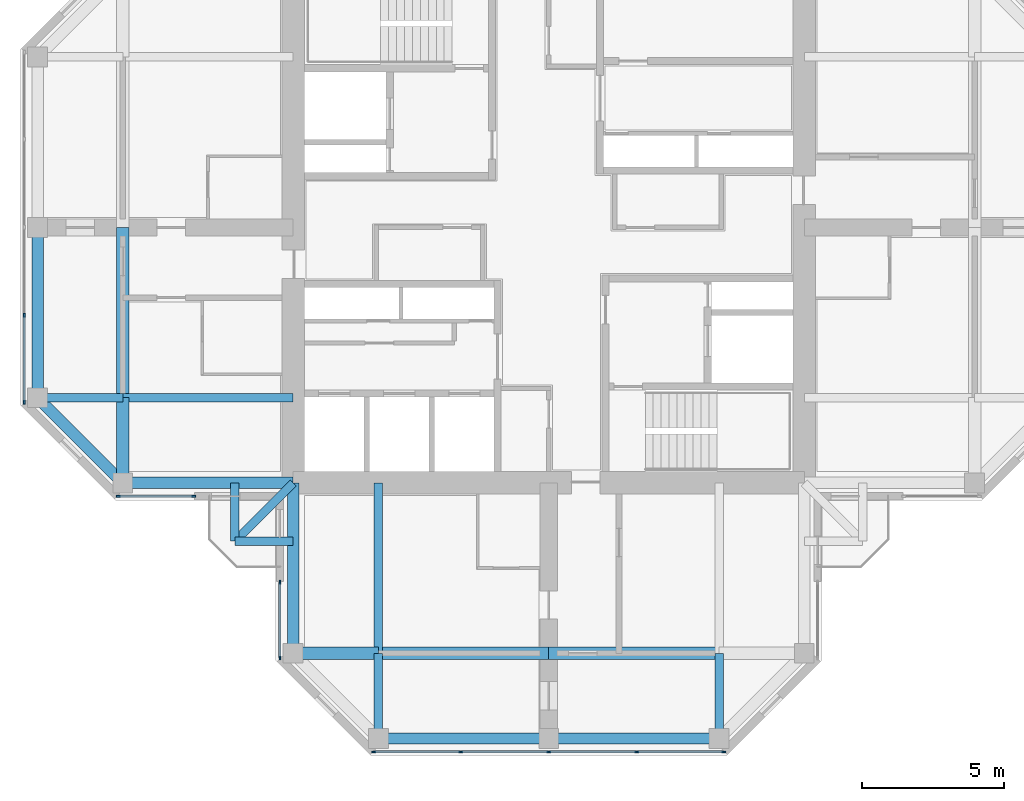
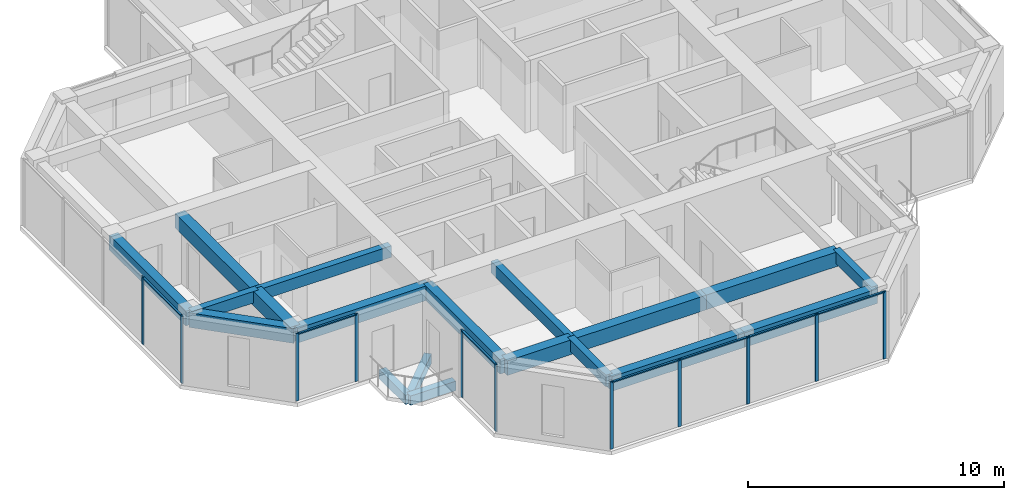
# One storey, part 2 of 13: 19 beams, 18 members, 4 elements without a shape of their own.
"""IFC4 building model written with IfcOpenShell, lengths in metres."""

from ifc_helpers import new_model, si_unit, direction, frame, origin, origin_2d, place, context, subcontext, project, spatial, rectangle, extrude, material, material_profile, profile_set, type_object, element, aggregate, save


model = new_model("IFC4")

# Units and contexts
model_context = context("Model", 3, precision=1e-05, world=origin(), true_north=direction((0.0, 1.0)))
body_context = subcontext(model_context, "Body", "Model", "MODEL_VIEW")
ifc_project = project(units=[si_unit("LENGTHUNIT", "METRE"), si_unit("AREAUNIT", "SQUARE_METRE"), si_unit("VOLUMEUNIT", "CUBIC_METRE"), si_unit("PLANEANGLEUNIT", "RADIAN"), si_unit("MASSUNIT", "GRAM", prefix="KILO")], contexts=[model_context])

# Site, building, storey
site_placement = place(None, origin())
site = spatial("IfcSite", under=ifc_project, at=site_placement, CompositionType="ELEMENT")
building_placement = place(site_placement, origin())
building = spatial("IfcBuilding", under=site, at=building_placement, Name="Torre Cruceta", CompositionType="ELEMENT")
storey_placement = place(building_placement, frame((0.0, 0.0, 267.89990234375)))
storey = spatial("IfcBuildingStorey", under=building, at=storey_placement, Name="L69", CompositionType="ELEMENT", Elevation=267.89990234375)

# Beams
ifc_material_1 = material(Name="Concrete G60 (fck 60 MPa)", Category="concrete")
ifc_material_profile_1 = material_profile(ifc_material_1, rectangle(XDim=0.300048828125, YDim=0.449951171875, at=origin_2d()), Name="RC 300X450")
ifc_profile_set_1 = profile_set([ifc_material_profile_1], Name="Concrete G60 (fck 60 MPa)")
beam_type_1 = type_object("IfcBeamType", Name="BALCONY CANTILEVER BEAM RC 300X450", PredefinedType="BEAM", material=ifc_profile_set_1)
beam_1_placement = place(storey_placement, frame((-9.0, -9.0, -0.40478515625), z_axis=(-0.707106781187, -0.707106781187, 0.0), x_axis=(0.707106781187, -0.707106781187, 0.0)))
element("IfcBeam", 1, at=beam_1_placement, inside=storey, type_object=beam_type_1, Name="BB1 balcony beam L69 W", PredefinedType="BEAM", context=body_context, shape_type="SweptSolid", body=[
    extrude(rectangle(XDim=0.300048828125, YDim=0.449951171875, at=origin_2d()), origin(), (0.0, 0.0, 1.0), 2.89990234375),
])
for number, where, z_axis, x_axis, name in (
    (2, (-11.050537109375, -9.0, -0.40478515625), (0.0, -1.0, 0.0), (1.0, 0.0, 0.0), "BB1 balcony edge beam L69 W-X"),
    (3, (-9.0, -11.050537109375, -0.40478515625), (-1.0, 0.0, 0.0), (0.0, -1.0, 0.0), "BB1 balcony edge beam L69 W-Y"),
):
    element("IfcBeam", number, at=place(storey_placement, frame(where, z_axis=z_axis, x_axis=x_axis)), inside=storey, type_object=beam_type_1, Name=name, PredefinedType="BEAM", context=body_context, shape_type="SweptSolid", body=[
        extrude(rectangle(XDim=0.300048828125, YDim=0.449951171875, at=origin_2d()), origin(), (0.0, 0.0, 1.0), 2.050537109375),
    ])
ifc_material_2 = material(Name="Concrete G60 (fck 60 MPa)", Category="concrete")
ifc_material_profile_2 = material_profile(ifc_material_2, rectangle(XDim=0.300048828125, YDim=0.550048828125, at=origin_2d()), Name="RC 300X550")
ifc_profile_set_2 = profile_set([ifc_material_profile_2], Name="Concrete G60 (fck 60 MPa)")
beam_type_2 = type_object("IfcBeamType", Name="COLUMN LINE BEAM RC 300X550", PredefinedType="BEAM", material=ifc_profile_set_2)
beam_2_placement = place(storey_placement, frame((-6.0, -9.0, 2.945068359375), z_axis=(0.0, -1.0, 0.0), x_axis=(1.0, 0.0, 0.0)))
element("IfcBeam", 4, at=beam_2_placement, inside=storey, type_object=beam_type_2, Name="LB10 L69 S col- 1", PredefinedType="BEAM", context=body_context, shape_type="SweptSolid", body=[
    extrude(rectangle(XDim=0.300048828125, YDim=0.550048828125, at=origin_2d()), origin(), (0.0, 0.0, 1.0), 6.0),
])
for number, where, z_axis, x_axis, name in (
    (5, (-6.0, -15.0, 2.945068359375), (0.0, -1.0, 0.0), (1.0, 0.0, 0.0), "LB10 L69 S col- 2"),
    (6, (6.0, -15.0, 2.945068359375), (0.0, -1.0, 0.0), (1.0, 0.0, 0.0), "LB10 L69 S col+ 2"),
):
    element("IfcBeam", number, at=place(storey_placement, frame(where, z_axis=z_axis, x_axis=x_axis)), inside=storey, type_object=beam_type_2, Name=name, PredefinedType="BEAM", context=body_context, shape_type="SweptSolid", body=[
        extrude(rectangle(XDim=0.300048828125, YDim=0.550048828125, at=origin_2d()), origin(), (0.0, 0.0, 1.0), 3.0),
    ])
beam_3_placement = place(storey_placement, frame((-9.0, -6.0, 2.945068359375), z_axis=(-1.0, 0.0, 0.0), x_axis=(0.0, -1.0, 0.0)))
element("IfcBeam", 7, at=beam_3_placement, inside=storey, type_object=beam_type_2, Name="LB10 L69 W col+ 1", PredefinedType="BEAM", context=body_context, shape_type="SweptSolid", body=[
    extrude(rectangle(XDim=0.300048828125, YDim=0.550048828125, at=origin_2d()), origin(), (0.0, 0.0, 1.0), 6.0),
])
beam_4_placement = place(storey_placement, frame((-15.0, -6.0, 2.945068359375), z_axis=(-1.0, 0.0, 0.0), x_axis=(0.0, -1.0, 0.0)))
element("IfcBeam", 8, at=beam_4_placement, inside=storey, type_object=beam_type_2, Name="LB10 L69 W col+ 2", PredefinedType="BEAM", context=body_context, shape_type="SweptSolid", body=[
    extrude(rectangle(XDim=0.300048828125, YDim=0.550048828125, at=origin_2d()), origin(), (0.0, 0.0, 1.0), 3.0),
])
ifc_material_3 = material(Name="Concrete G60 (fck 60 MPa)", Category="concrete")
ifc_material_profile_3 = material_profile(ifc_material_3, rectangle(XDim=0.449951171875, YDim=0.699951171875, at=origin_2d()), Name="RC 450X700")
ifc_profile_set_3 = profile_set([ifc_material_profile_3], Name="Concrete G60 (fck 60 MPa)")
beam_type_3 = type_object("IfcBeamType", Name="CROSS BEAM RC 450X700", PredefinedType="BEAM", material=ifc_profile_set_3)
beam_5_placement = place(storey_placement, frame((-9.0, -15.0, 2.8701171875), z_axis=(1.0, 0.0, 0.0), x_axis=(0.0, 1.0, 0.0)))
element("IfcBeam", 9, at=beam_5_placement, inside=storey, type_object=beam_type_3, Name="GB8 L69 S cross15 1", PredefinedType="BEAM", context=body_context, shape_type="SweptSolid", body=[
    extrude(rectangle(XDim=0.449951171875, YDim=0.699951171875, at=origin_2d()), origin(), (0.0, 0.0, 1.0), 3.0),
])
for number, where, z_axis, x_axis, name in (
    (10, (-6.0, -15.0, 2.8701171875), (1.0, 0.0, 0.0), (0.0, 1.0, 0.0), "GB8 L69 S cross15 2"),
    (11, (0.0, -15.0, 2.8701171875), (1.0, 0.0, 0.0), (0.0, 1.0, 0.0), "GB8 L69 S cross15 3"),
    (12, (-15.0, 0.0, 2.8701171875), (0.0, -1.0, 0.0), (1.0, 0.0, 0.0), "GB8 L69 W cross15 3"),
):
    element("IfcBeam", number, at=place(storey_placement, frame(where, z_axis=z_axis, x_axis=x_axis)), inside=storey, type_object=beam_type_3, Name=name, PredefinedType="BEAM", context=body_context, shape_type="SweptSolid", body=[
        extrude(rectangle(XDim=0.449951171875, YDim=0.699951171875, at=origin_2d()), origin(), (0.0, 0.0, 1.0), 6.0),
    ])
beam_6_placement = place(storey_placement, frame((-15.0, -6.0, 2.8701171875), z_axis=(0.0, -1.0, 0.0), x_axis=(1.0, 0.0, 0.0)))
element("IfcBeam", 13, at=beam_6_placement, inside=storey, type_object=beam_type_3, Name="GB8 L69 W cross15 4", PredefinedType="BEAM", context=body_context, shape_type="SweptSolid", body=[
    extrude(rectangle(XDim=0.449951171875, YDim=0.699951171875, at=origin_2d()), origin(), (0.0, 0.0, 1.0), 3.0),
])

# Curtain wall, members
ifc_material_4 = material(Name="Aluminium unitised curtain wall", Category="aluminium")
curtain_wall_type = type_object("IfcCurtainWallType", Name="CURTAIN WALL CW-E CO-LIVING TOP", PredefinedType="USERDEFINED", material=ifc_material_4)
curtain_wall_1_placement = place(storey_placement, origin())
curtain_wall_1 = element("IfcCurtainWall", 14, at=curtain_wall_1_placement, inside=storey, type_object=curtain_wall_type, Name="CW-E L69 W tip 12", ObjectType="UNITISED", PredefinedType="USERDEFINED")
ifc_material_5 = material(Name="Aluminium mullion", Category="aluminium")
ifc_material_profile_4 = material_profile(ifc_material_5, rectangle(XDim=0.054931640625, YDim=0.139892578125, at=origin_2d()), Name="AL 55X140")
ifc_profile_set_4 = profile_set([ifc_material_profile_4], Name="Aluminium mullion")
member_type_1 = type_object("IfcMemberType", Name="CW-E MULLION 55X140", PredefinedType="MULLION", material=ifc_profile_set_4)
member_1_placement = place(storey_placement, frame((-18.469970703125, -3.097412109375, 0.0), z_axis=(0.0, 0.0, 1.0), x_axis=(1.0, 0.0, 0.0)))
member_1 = element("IfcMember", 15, at=member_1_placement, type_object=member_type_1, Name="CW-E mullion 4", PredefinedType="MULLION", context=body_context, shape_type="SweptSolid", body=[
    extrude(rectangle(XDim=0.054931640625, YDim=0.139892578125, at=origin_2d()), origin(), (0.0, 0.0, 1.0), 3.22021484375),
])
member_2_placement = place(storey_placement, frame((-18.469970703125, -6.167236328125, 0.0), z_axis=(0.0, 0.0, 1.0), x_axis=(1.0, 0.0, 0.0)))
member_2 = element("IfcMember", 16, at=member_2_placement, type_object=member_type_1, Name="CW-E mullion 5", PredefinedType="MULLION", context=body_context, shape_type="SweptSolid", body=[
    extrude(rectangle(XDim=0.054931640625, YDim=0.139892578125, at=origin_2d()), origin(), (0.0, 0.0, 1.0), 3.22021484375),
])

curtain_wall_2_placement = place(storey_placement, origin())
curtain_wall_2 = element("IfcCurtainWall", 17, at=curtain_wall_2_placement, inside=storey, type_object=curtain_wall_type, Name="CW-E L69 W side 14", ObjectType="UNITISED", PredefinedType="USERDEFINED")
member_3_placement = place(storey_placement, frame((-15.167236328125, -9.469970703125, 0.0), z_axis=(0.0, 0.0, 1.0), x_axis=(0.0, 1.0, 0.0)))
member_3 = element("IfcMember", 18, at=member_3_placement, type_object=member_type_1, Name="CW-E mullion 1", PredefinedType="MULLION", context=body_context, shape_type="SweptSolid", body=[
    extrude(rectangle(XDim=0.054931640625, YDim=0.139892578125, at=origin_2d()), origin(), (0.0, 0.0, 1.0), 3.22021484375),
])
member_4_placement = place(storey_placement, frame((-12.49755859375, -9.469970703125, 0.0), z_axis=(0.0, 0.0, 1.0), x_axis=(0.0, 1.0, 0.0)))
member_4 = element("IfcMember", 19, at=member_4_placement, type_object=member_type_1, Name="CW-E mullion 2", PredefinedType="MULLION", context=body_context, shape_type="SweptSolid", body=[
    extrude(rectangle(XDim=0.054931640625, YDim=0.139892578125, at=origin_2d()), origin(), (0.0, 0.0, 1.0), 3.22021484375),
])

curtain_wall_3_placement = place(storey_placement, origin())
curtain_wall_3 = element("IfcCurtainWall", 20, at=curtain_wall_3_placement, inside=storey, type_object=curtain_wall_type, Name="CW-E L69 S side 15", ObjectType="UNITISED", PredefinedType="USERDEFINED")
member_5_placement = place(storey_placement, frame((-9.469970703125, -12.49755859375, 0.0), z_axis=(0.0, 0.0, 1.0), x_axis=(1.0, 0.0, 0.0)))
member_5 = element("IfcMember", 21, at=member_5_placement, type_object=member_type_1, Name="CW-E mullion 1", PredefinedType="MULLION", context=body_context, shape_type="SweptSolid", body=[
    extrude(rectangle(XDim=0.054931640625, YDim=0.139892578125, at=origin_2d()), origin(), (0.0, 0.0, 1.0), 3.22021484375),
])
member_6_placement = place(storey_placement, frame((-9.469970703125, -15.167236328125, 0.0), z_axis=(0.0, 0.0, 1.0), x_axis=(1.0, 0.0, 0.0)))
member_6 = element("IfcMember", 22, at=member_6_placement, type_object=member_type_1, Name="CW-E mullion 2", PredefinedType="MULLION", context=body_context, shape_type="SweptSolid", body=[
    extrude(rectangle(XDim=0.054931640625, YDim=0.139892578125, at=origin_2d()), origin(), (0.0, 0.0, 1.0), 3.22021484375),
])

curtain_wall_4_placement = place(storey_placement, origin())
curtain_wall_4 = element("IfcCurtainWall", 23, at=curtain_wall_4_placement, inside=storey, type_object=curtain_wall_type, Name="CW-E L69 S tip 17", ObjectType="UNITISED", PredefinedType="USERDEFINED")
member_7_placement = place(storey_placement, frame((-6.167236328125, -18.469970703125, 0.0), z_axis=(0.0, 0.0, 1.0), x_axis=(0.0, 1.0, 0.0)))
member_7 = element("IfcMember", 24, at=member_7_placement, type_object=member_type_1, Name="CW-E mullion 1", PredefinedType="MULLION", context=body_context, shape_type="SweptSolid", body=[
    extrude(rectangle(XDim=0.054931640625, YDim=0.139892578125, at=origin_2d()), origin(), (0.0, 0.0, 1.0), 3.22021484375),
])
member_8_placement = place(storey_placement, frame((-3.097412109375, -18.469970703125, 0.0), z_axis=(0.0, 0.0, 1.0), x_axis=(0.0, 1.0, 0.0)))
member_8 = element("IfcMember", 25, at=member_8_placement, type_object=member_type_1, Name="CW-E mullion 2", PredefinedType="MULLION", context=body_context, shape_type="SweptSolid", body=[
    extrude(rectangle(XDim=0.054931640625, YDim=0.139892578125, at=origin_2d()), origin(), (0.0, 0.0, 1.0), 3.22021484375),
])
member_9_placement = place(storey_placement, frame((0.0, -18.469970703125, 0.0), z_axis=(0.0, 0.0, 1.0), x_axis=(0.0, 1.0, 0.0)))
member_9 = element("IfcMember", 26, at=member_9_placement, type_object=member_type_1, Name="CW-E mullion 3", PredefinedType="MULLION", context=body_context, shape_type="SweptSolid", body=[
    extrude(rectangle(XDim=0.054931640625, YDim=0.139892578125, at=origin_2d()), origin(), (0.0, 0.0, 1.0), 3.22021484375),
])
member_10_placement = place(storey_placement, frame((3.097412109375, -18.469970703125, 0.0), z_axis=(0.0, 0.0, 1.0), x_axis=(0.0, 1.0, 0.0)))
member_10 = element("IfcMember", 27, at=member_10_placement, type_object=member_type_1, Name="CW-E mullion 4", PredefinedType="MULLION", context=body_context, shape_type="SweptSolid", body=[
    extrude(rectangle(XDim=0.054931640625, YDim=0.139892578125, at=origin_2d()), origin(), (0.0, 0.0, 1.0), 3.22021484375),
])
member_11_placement = place(storey_placement, frame((6.167236328125, -18.469970703125, 0.0), z_axis=(0.0, 0.0, 1.0), x_axis=(0.0, 1.0, 0.0)))
member_11 = element("IfcMember", 28, at=member_11_placement, type_object=member_type_1, Name="CW-E mullion 5", PredefinedType="MULLION", context=body_context, shape_type="SweptSolid", body=[
    extrude(rectangle(XDim=0.054931640625, YDim=0.139892578125, at=origin_2d()), origin(), (0.0, 0.0, 1.0), 3.22021484375),
])

# Member
ifc_material_6 = material(Name="Aluminium transom", Category="aluminium")
ifc_material_profile_5 = material_profile(ifc_material_6, rectangle(XDim=0.090087890625, YDim=0.054931640625, at=origin_2d()), Name="AL 90X55")
ifc_profile_set_5 = profile_set([ifc_material_profile_5], Name="Aluminium transom")
member_type_2 = type_object("IfcMemberType", Name="CW-E TRANSOM 55X90", PredefinedType="USERDEFINED", material=ifc_profile_set_5)
member_12_placement = place(storey_placement, frame((-18.469970703125, -3.124755859375, 3.192626953125), z_axis=(0.0, -1.0, 0.0), x_axis=(1.0, 0.0, 0.0)))
member_12 = element("IfcMember", 29, at=member_12_placement, type_object=member_type_2, Name="CW-E transom 4", ObjectType="TRANSOM", PredefinedType="USERDEFINED", context=body_context, shape_type="SweptSolid", body=[
    extrude(rectangle(XDim=0.090087890625, YDim=0.054931640625, at=origin_2d()), origin(), (0.0, 0.0, 1.0), 3.014892578125),
])

aggregate(curtain_wall_1, [member_1, member_2, member_12])

member_13_placement = place(storey_placement, frame((-15.1396484375, -9.469970703125, 3.192626953125), z_axis=(1.0, 0.0, 0.0), x_axis=(0.0, 1.0, 0.0)))
member_13 = element("IfcMember", 30, at=member_13_placement, type_object=member_type_2, Name="CW-E transom 1", ObjectType="TRANSOM", PredefinedType="USERDEFINED", context=body_context, shape_type="SweptSolid", body=[
    extrude(rectangle(XDim=0.090087890625, YDim=0.054931640625, at=origin_2d()), origin(), (0.0, 0.0, 1.0), 2.61474609375),
])

aggregate(curtain_wall_2, [member_3, member_4, member_13])

member_14_placement = place(storey_placement, frame((-9.469970703125, -12.52490234375, 3.192626953125), z_axis=(0.0, -1.0, 0.0), x_axis=(1.0, 0.0, 0.0)))
member_14 = element("IfcMember", 31, at=member_14_placement, type_object=member_type_2, Name="CW-E transom 1", ObjectType="TRANSOM", PredefinedType="USERDEFINED", context=body_context, shape_type="SweptSolid", body=[
    extrude(rectangle(XDim=0.090087890625, YDim=0.054931640625, at=origin_2d()), origin(), (0.0, 0.0, 1.0), 2.61474609375),
])

aggregate(curtain_wall_3, [member_5, member_6, member_14])

member_15_placement = place(storey_placement, frame((-6.1396484375, -18.469970703125, 3.192626953125), z_axis=(1.0, 0.0, 0.0), x_axis=(0.0, 1.0, 0.0)))
member_15 = element("IfcMember", 32, at=member_15_placement, type_object=member_type_2, Name="CW-E transom 1", ObjectType="TRANSOM", PredefinedType="USERDEFINED", context=body_context, shape_type="SweptSolid", body=[
    extrude(rectangle(XDim=0.090087890625, YDim=0.054931640625, at=origin_2d()), origin(), (0.0, 0.0, 1.0), 3.014892578125),
])

member_16_placement = place(storey_placement, frame((-3.06982421875, -18.469970703125, 3.192626953125), z_axis=(1.0, 0.0, 0.0), x_axis=(0.0, 1.0, 0.0)))
member_16 = element("IfcMember", 33, at=member_16_placement, type_object=member_type_2, Name="CW-E transom 2", ObjectType="TRANSOM", PredefinedType="USERDEFINED", context=body_context, shape_type="SweptSolid", body=[
    extrude(rectangle(XDim=0.090087890625, YDim=0.054931640625, at=origin_2d()), origin(), (0.0, 0.0, 1.0), 3.042236328125),
])

member_17_placement = place(storey_placement, frame((0.027587890625, -18.469970703125, 3.192626953125), z_axis=(1.0, 0.0, 0.0), x_axis=(0.0, 1.0, 0.0)))
member_17 = element("IfcMember", 34, at=member_17_placement, type_object=member_type_2, Name="CW-E transom 3", ObjectType="TRANSOM", PredefinedType="USERDEFINED", context=body_context, shape_type="SweptSolid", body=[
    extrude(rectangle(XDim=0.090087890625, YDim=0.054931640625, at=origin_2d()), origin(), (0.0, 0.0, 1.0), 3.042236328125),
])

member_18_placement = place(storey_placement, frame((3.124755859375, -18.469970703125, 3.192626953125), z_axis=(1.0, 0.0, 0.0), x_axis=(0.0, 1.0, 0.0)))
member_18 = element("IfcMember", 35, at=member_18_placement, type_object=member_type_2, Name="CW-E transom 4", ObjectType="TRANSOM", PredefinedType="USERDEFINED", context=body_context, shape_type="SweptSolid", body=[
    extrude(rectangle(XDim=0.090087890625, YDim=0.054931640625, at=origin_2d()), origin(), (0.0, 0.0, 1.0), 3.014892578125),
])

aggregate(curtain_wall_4, [member_7, member_8, member_9, member_10, member_11, member_15, member_16, member_17, member_18])

# Beams
ifc_material_7 = material(Name="Concrete G60 (fck 60 MPa)", Category="concrete")
ifc_material_profile_6 = material_profile(ifc_material_7, rectangle(XDim=0.39990234375, YDim=0.699951171875, at=origin_2d()), Name="RC 400X700")
ifc_profile_set_6 = profile_set([ifc_material_profile_6], Name="Concrete G60 (fck 60 MPa)")
beam_type_4 = type_object("IfcBeamType", Name="SPANDREL BEAM RC 400X700", PredefinedType="SPANDREL", material=ifc_profile_set_6)
for number, where, z_axis, x_axis, name in (
    (36, (-9.0, -9.0, 2.8701171875), (0.0, -1.0, 0.0), (1.0, 0.0, 0.0), "SB8 L69 S side- 1"),
    (37, (-6.0, -18.0, 2.8701171875), (1.0, 0.0, 0.0), (0.0, 1.0, 0.0), "SB8 L69 S tip 1"),
    (38, (0.0, -18.0, 2.8701171875), (1.0, 0.0, 0.0), (0.0, 1.0, 0.0), "SB8 L69 S tip 2"),
    (39, (-9.0, -9.0, 2.8701171875), (-1.0, 0.0, 0.0), (0.0, -1.0, 0.0), "SB8 L69 W side+ 1"),
):
    element("IfcBeam", number, at=place(storey_placement, frame(where, z_axis=z_axis, x_axis=x_axis)), inside=storey, type_object=beam_type_4, Name=name, PredefinedType="SPANDREL", context=body_context, shape_type="SweptSolid", body=[
        extrude(rectangle(XDim=0.39990234375, YDim=0.699951171875, at=origin_2d()), origin(), (0.0, 0.0, 1.0), 6.0),
    ])
beam_7_placement = place(storey_placement, frame((-15.0, -9.0, 2.8701171875), z_axis=(-0.707106781187, 0.707106781187, 0.0), x_axis=(-0.707106781187, -0.707106781187, 0.0)))
element("IfcBeam", 40, at=beam_7_placement, inside=storey, type_object=beam_type_4, Name="SB8 L69 W side+ 2", PredefinedType="SPANDREL", context=body_context, shape_type="SweptSolid", body=[
    extrude(rectangle(XDim=0.39990234375, YDim=0.699951171875, at=origin_2d()), origin(), (0.0, 0.0, 1.0), 4.24267578125),
])
beam_8_placement = place(storey_placement, frame((-18.0, 0.0, 2.8701171875), z_axis=(0.0, -1.0, 0.0), x_axis=(1.0, 0.0, 0.0)))
element("IfcBeam", 41, at=beam_8_placement, inside=storey, type_object=beam_type_4, Name="SB8 L69 W tip 2", PredefinedType="SPANDREL", context=body_context, shape_type="SweptSolid", body=[
    extrude(rectangle(XDim=0.39990234375, YDim=0.699951171875, at=origin_2d()), origin(), (0.0, 0.0, 1.0), 6.0),
])

save(model, "model.ifc")
